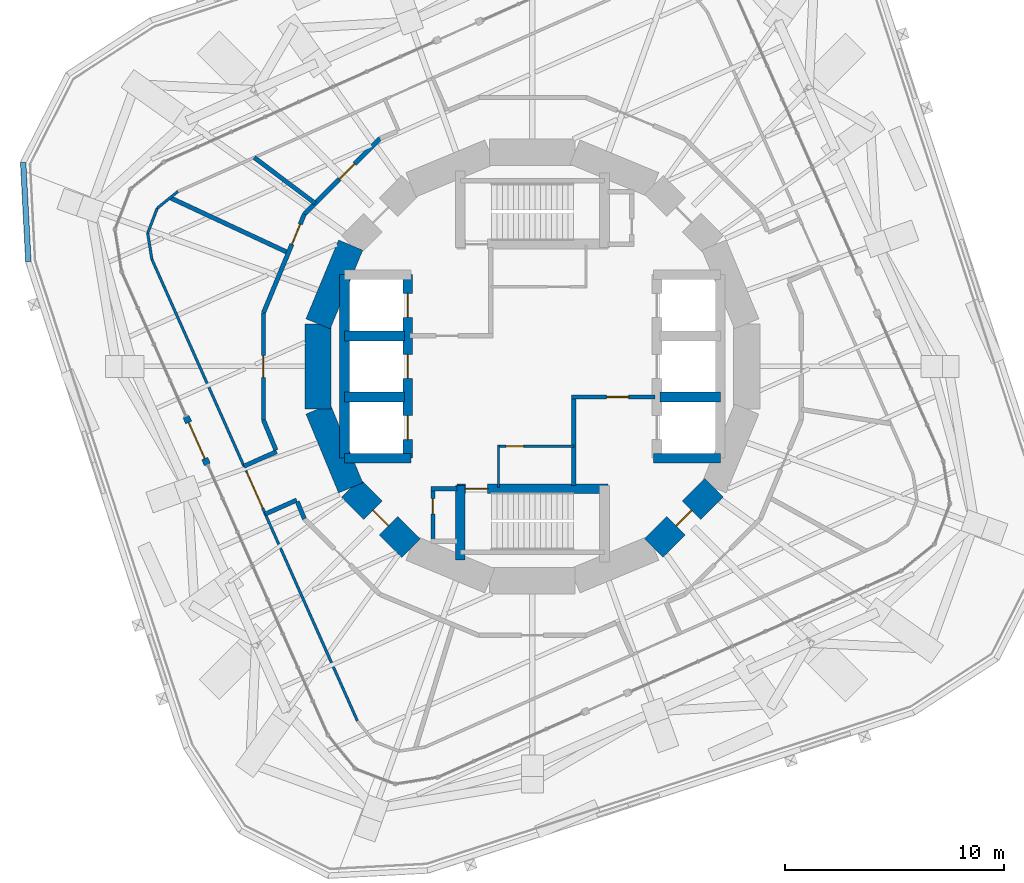
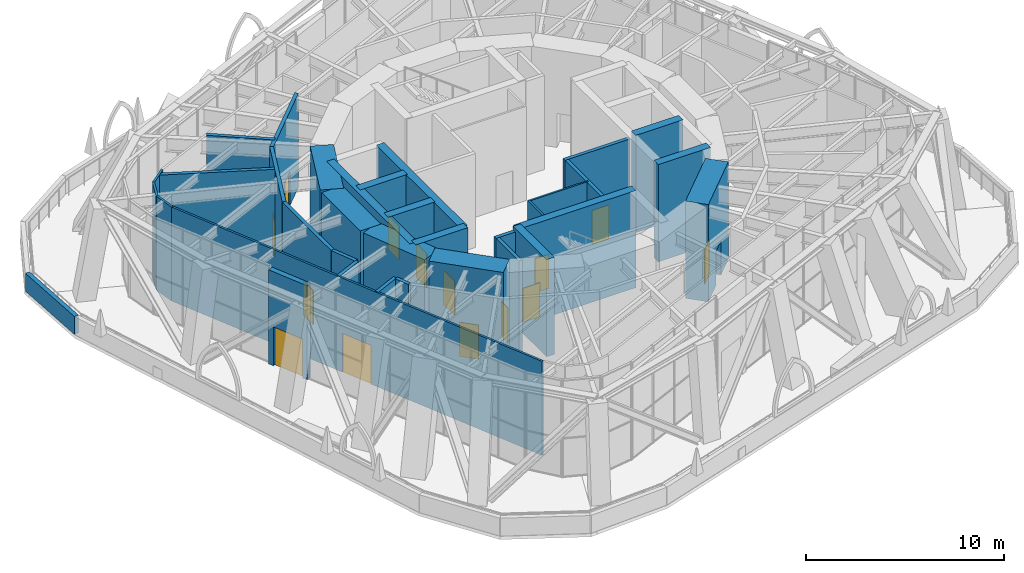
# One storey, part 13 of 18: 35 walls, 14 doors, 14 openings.
"""IFC4 building model written with IfcOpenShell, lengths in metres."""

from ifc_helpers import new_model, si_unit, direction, frame, frame_2d, origin, place, context, subcontext, project, spatial, rectangle, extrude, material, layer, layer_set, type_object, element, fill, save


model = new_model("IFC4")

# Units and contexts
model_context = context("Model", 3, precision=1e-05, world=origin(), true_north=direction((0.0, 1.0)))
body_context = subcontext(model_context, "Body", "Model", "MODEL_VIEW")
ifc_project = project(units=[si_unit("LENGTHUNIT", "METRE"), si_unit("AREAUNIT", "SQUARE_METRE"), si_unit("VOLUMEUNIT", "CUBIC_METRE"), si_unit("PLANEANGLEUNIT", "RADIAN"), si_unit("MASSUNIT", "GRAM", prefix="KILO")], contexts=[model_context])

# Site, building, storey
site_placement = place(None, origin())
site = spatial("IfcSite", under=ifc_project, at=site_placement, CompositionType="ELEMENT")
building_placement = place(site_placement, origin())
building = spatial("IfcBuilding", under=site, at=building_placement, Name="Nakasero Lantern House", CompositionType="ELEMENT")
storey_placement = place(building_placement, frame((0.0, 0.0, 176.449951171875)))
storey = spatial("IfcBuildingStorey", under=building, at=storey_placement, Name="L43", CompositionType="ELEMENT", Elevation=176.449951171875)

# Wall, openings, doors
ifc_material_1 = material(Name="Concrete C50/60", Category="concrete")
ifc_layer_1 = layer(ifc_material_1, 0.449951171875)
ifc_layer_set_1 = layer_set([ifc_layer_1], Name="Core inner wall 450")
wall_type_1 = type_object("IfcWallType", Name="Core inner wall 450", PredefinedType="SHEAR", material=ifc_layer_set_1)
wall_1_placement = place(storey_placement, frame((-5.699951171875, -4.199951171875, 0.0), z_axis=(0.0, 0.0, 1.0), x_axis=(0.0, 1.0, 0.0)))
wall_1 = element("IfcWall", 1, at=wall_1_placement, inside=storey, type_object=wall_type_1, Name="Core inner wall L43 LW", PredefinedType="SHEAR", context=body_context, shape_type="SweptSolid", body=[
    extrude(rectangle(XDim=8.39990234375, YDim=0.449951171875, at=frame_2d((4.199951171875, 0.0))), origin(), (0.0, 0.0, 1.0), 6.0),
])
opening_1_placement = place(wall_1_placement, frame((0.85009765625, 0.0, 0.0)))
opening_1 = element("IfcOpeningElement", 2, at=opening_1_placement, cuts=wall_1, Name="Opening LD", PredefinedType="OPENING", context=body_context, shape_type="SweptSolid", body=[
    extrude(rectangle(XDim=1.10009765625, YDim=2.10009765625, at=frame_2d((0.550048828125, 1.050048828125))), frame((0.0, 0.244873046875, 0.0), z_axis=(0.0, -1.0, 0.0), x_axis=(1.0, 0.0, 0.0)), (0.0, 0.0, 1.0), 0.489990234375),
])
opening_2_placement = place(wall_1_placement, frame((3.64990234375, 0.0, 0.0)))
opening_2 = element("IfcOpeningElement", 3, at=opening_2_placement, cuts=wall_1, Name="Opening LD", PredefinedType="OPENING", context=body_context, shape_type="SweptSolid", body=[
    extrude(rectangle(XDim=1.10009765625, YDim=2.10009765625, at=frame_2d((0.550048828125, 1.050048828125))), frame((0.0, 0.244873046875, 0.0), z_axis=(0.0, -1.0, 0.0), x_axis=(1.0, 0.0, 0.0)), (0.0, 0.0, 1.0), 0.489990234375),
])
opening_3_placement = place(wall_1_placement, frame((6.449951171875, 0.0, 0.0)))
opening_3 = element("IfcOpeningElement", 4, at=opening_3_placement, cuts=wall_1, Name="Opening LD", PredefinedType="OPENING", context=body_context, shape_type="SweptSolid", body=[
    extrude(rectangle(XDim=1.10009765625, YDim=2.10009765625, at=frame_2d((0.550048828125, 1.050048828125))), frame((0.0, 0.244873046875, 0.0), z_axis=(0.0, -1.0, 0.0), x_axis=(1.0, 0.0, 0.0)), (0.0, 0.0, 1.0), 0.489990234375),
])
ifc_material_2 = material(Name="Steel S355", Category="steel")
door_type_1 = type_object("IfcDoorType", Name="Lift landing door E120 1100", OperationType="SLIDING_TO_LEFT", PredefinedType="DOOR", material=ifc_material_2)
door_1_placement = place(opening_1_placement, origin())
door_1 = element("IfcDoor", 5, at=door_1_placement, inside=storey, type_object=door_type_1, Name="Lift landing door LW1", OperationType="SLIDING_TO_LEFT", OverallHeight=2.10009765625, OverallWidth=1.10009765625, PredefinedType="DOOR", context=body_context, shape_type="SweptSolid", body=[
    extrude(rectangle(XDim=1.10009765625, YDim=2.10009765625, at=frame_2d((0.550048828125, 1.050048828125))), frame((0.0, 0.02490234375, 0.0), z_axis=(0.0, -1.0, 0.0), x_axis=(1.0, 0.0, 0.0)), (0.0, 0.0, 1.0), 0.050048828125),
])
fill(opening_1, door_1)
door_2_placement = place(opening_2_placement, origin())
door_2 = element("IfcDoor", 6, at=door_2_placement, inside=storey, type_object=door_type_1, Name="Lift landing door LW2", OperationType="SLIDING_TO_LEFT", OverallHeight=2.10009765625, OverallWidth=1.10009765625, PredefinedType="DOOR", context=body_context, shape_type="SweptSolid", body=[
    extrude(rectangle(XDim=1.10009765625, YDim=2.10009765625, at=frame_2d((0.550048828125, 1.050048828125))), frame((0.0, 0.02490234375, 0.0), z_axis=(0.0, -1.0, 0.0), x_axis=(1.0, 0.0, 0.0)), (0.0, 0.0, 1.0), 0.050048828125),
])
fill(opening_2, door_2)
door_3_placement = place(opening_3_placement, origin())
door_3 = element("IfcDoor", 7, at=door_3_placement, inside=storey, type_object=door_type_1, Name="Lift landing door LW3", OperationType="SLIDING_TO_LEFT", OverallHeight=2.10009765625, OverallWidth=1.10009765625, PredefinedType="DOOR", context=body_context, shape_type="SweptSolid", body=[
    extrude(rectangle(XDim=1.10009765625, YDim=2.10009765625, at=frame_2d((0.550048828125, 1.050048828125))), frame((0.0, 0.02490234375, 0.0), z_axis=(0.0, -1.0, 0.0), x_axis=(1.0, 0.0, 0.0)), (0.0, 0.0, 1.0), 0.050048828125),
])
fill(opening_3, door_3)

# Walls
for number, where, z_axis, x_axis, name in (
    (8, (-8.60009765625, -4.199951171875, 0.0), (0.0, 0.0, 1.0), (1.0, 0.0, 0.0), "Core inner wall L43 LWS"),
    (9, (5.550048828125, -4.199951171875, 0.0), (0.0, 0.0, 1.0), (1.0, 0.0, 0.0), "Core inner wall L43 LES"),
):
    element("IfcWall", number, at=place(storey_placement, frame(where, z_axis=z_axis, x_axis=x_axis)), inside=storey, type_object=wall_type_1, Name=name, PredefinedType="SHEAR", context=body_context, shape_type="SweptSolid", body=[
        extrude(rectangle(XDim=3.050048828125, YDim=0.449951171875, at=frame_2d((1.52490234375, 0.0))), origin(), (0.0, 0.0, 1.0), 6.0),
    ])
wall_2_placement = place(storey_placement, frame((-8.60009765625, -4.199951171875, 0.0), z_axis=(0.0, 0.0, 1.0), x_axis=(0.0, 1.0, 0.0)))
element("IfcWall", 10, at=wall_2_placement, inside=storey, type_object=wall_type_1, Name="Core inner wall L43 LWB", PredefinedType="SHEAR", context=body_context, shape_type="SweptSolid", body=[
    extrude(rectangle(XDim=8.39990234375, YDim=0.449951171875, at=frame_2d((4.199951171875, 0.0))), origin(), (0.0, 0.0, 1.0), 6.0),
])
for number, where, z_axis, x_axis, name in (
    (11, (-8.60009765625, -1.39990234375, 0.0), (0.0, 0.0, 1.0), (1.0, 0.0, 0.0), "Core inner wall L43 LW1"),
    (12, (-8.60009765625, 1.39990234375, 0.0), (0.0, 0.0, 1.0), (1.0, 0.0, 0.0), "Core inner wall L43 LW2"),
    (13, (5.85009765625, -1.39990234375, 0.0), (0.0, 0.0, 1.0), (1.0, 0.0, 0.0), "Core inner wall L43 LE1"),
):
    element("IfcWall", number, at=place(storey_placement, frame(where, z_axis=z_axis, x_axis=x_axis)), inside=storey, type_object=wall_type_1, Name=name, PredefinedType="SHEAR", context=body_context, shape_type="SweptSolid", body=[
        extrude(rectangle(XDim=2.75, YDim=0.449951171875, at=frame_2d((1.375, 0.0))), origin(), (0.0, 0.0, 1.0), 6.0),
    ])

# Wall, opening, door
wall_3_placement = place(storey_placement, frame((-3.449951171875, -5.60009765625, 0.0), z_axis=(0.0, 0.0, 1.0), x_axis=(1.0, 0.0, 0.0)))
wall_3 = element("IfcWall", 14, at=wall_3_placement, inside=storey, type_object=wall_type_1, Name="Core inner wall L43 SS", PredefinedType="SHEAR", context=body_context, shape_type="SweptSolid", body=[
    extrude(rectangle(XDim=6.89990234375, YDim=0.449951171875, at=frame_2d((3.449951171875, 0.0))), origin(), (0.0, 0.0, 1.0), 6.0),
])
opening_4_placement = place(wall_3_placement, frame((0.39990234375, 0.0, 0.0)))
opening_4 = element("IfcOpeningElement", 15, at=opening_4_placement, cuts=wall_3, Name="Opening D05", PredefinedType="OPENING", context=body_context, shape_type="SweptSolid", body=[
    extrude(rectangle(XDim=1.0, YDim=2.10009765625, at=frame_2d((0.5, 1.050048828125))), frame((0.0, 0.244873046875, 0.0), z_axis=(0.0, -1.0, 0.0), x_axis=(1.0, 0.0, 0.0)), (0.0, 0.0, 1.0), 0.489990234375),
])
ifc_material_3 = material(Name="Timber C24", Category="wood")
door_type_2 = type_object("IfcDoorType", Name="Core door FD60S 1000", OperationType="SINGLE_SWING_LEFT", PredefinedType="DOOR", material=ifc_material_3)
door_4_placement = place(opening_4_placement, origin())
door_4 = element("IfcDoor", 16, at=door_4_placement, inside=storey, type_object=door_type_2, Name="Door L43 D-ST2", OperationType="SINGLE_SWING_LEFT", OverallHeight=2.10009765625, OverallWidth=1.0, PredefinedType="DOOR", context=body_context, shape_type="SweptSolid", body=[
    extrude(rectangle(XDim=1.0, YDim=2.10009765625, at=frame_2d((0.5, 1.050048828125))), frame((0.0, 0.02490234375, 0.0), z_axis=(0.0, -1.0, 0.0), x_axis=(1.0, 0.0, 0.0)), (0.0, 0.0, 1.0), 0.050048828125),
])
fill(opening_4, door_4)

# Wall
wall_4_placement = place(storey_placement, frame((-3.300048828125, -5.449951171875, 0.0), z_axis=(0.0, 0.0, 1.0), x_axis=(0.0, -1.0, 0.0)))
element("IfcWall", 17, at=wall_4_placement, inside=storey, type_object=wall_type_1, Name="Core inner wall L43 SSW", PredefinedType="SHEAR", context=body_context, shape_type="SweptSolid", body=[
    extrude(rectangle(XDim=3.400146484375, YDim=0.449951171875, at=frame_2d((1.7001953125, 0.0))), origin(), (0.0, 0.0, 1.0), 6.0),
])

# Wall, opening, door
ifc_material_4 = material(Name="Blockwork", Category="masonry")
ifc_layer_2 = layer(ifc_material_4, 0.10009765625)
ifc_layer_set_2 = layer_set([ifc_layer_2], Name="Core room wall 100")
wall_type_2 = type_object("IfcWallType", Name="Core room wall 100", PredefinedType="PARTITIONING", material=ifc_layer_set_2)
wall_5_placement = place(storey_placement, frame((-1.60009765625, -3.64990234375, 0.0), z_axis=(0.0, 0.0, 1.0), x_axis=(1.0, 0.0, 0.0)))
wall_5 = element("IfcWall", 18, at=wall_5_placement, inside=storey, type_object=wall_type_2, Name="Core room wall L43 CR-SWN", PredefinedType="PARTITIONING", context=body_context, shape_type="SweptSolid", body=[
    extrude(rectangle(XDim=3.5, YDim=0.10009765625, at=frame_2d((1.75, 0.0))), origin(), (0.0, 0.0, 1.0), 5.800048828125),
])
opening_5_placement = place(wall_5_placement, frame((0.39990234375, 0.0, 0.0)))
opening_5 = element("IfcOpeningElement", 19, at=opening_5_placement, cuts=wall_5, Name="Opening D15", PredefinedType="OPENING", context=body_context, shape_type="SweptSolid", body=[
    extrude(rectangle(XDim=0.800048828125, YDim=2.10009765625, at=frame_2d((0.39990234375, 1.050048828125))), frame((0.0, 0.070068359375, 0.0), z_axis=(0.0, -1.0, 0.0), x_axis=(1.0, 0.0, 0.0)), (0.0, 0.0, 1.0), 0.14013671875),
])
ifc_material_5 = material(Name="Timber C24", Category="wood")
door_type_3 = type_object("IfcDoorType", Name="Cleaner's store door FD30S 800", OperationType="SINGLE_SWING_LEFT", PredefinedType="DOOR", material=ifc_material_5)
door_5_placement = place(opening_5_placement, origin())
door_5 = element("IfcDoor", 20, at=door_5_placement, inside=storey, type_object=door_type_3, Name="Door L43 D-CR-SW", OperationType="SINGLE_SWING_LEFT", OverallHeight=2.10009765625, OverallWidth=0.800048828125, PredefinedType="DOOR", context=body_context, shape_type="SweptSolid", body=[
    extrude(rectangle(XDim=0.800048828125, YDim=2.10009765625, at=frame_2d((0.39990234375, 1.050048828125))), frame((0.0, 0.02490234375, 0.0), z_axis=(0.0, -1.0, 0.0), x_axis=(1.0, 0.0, 0.0)), (0.0, 0.0, 1.0), 0.050048828125),
])
fill(opening_5, door_5)

# Walls
wall_6_placement = place(storey_placement, frame((-1.550048828125, -5.550048828125, 0.0), z_axis=(0.0, 0.0, 1.0), x_axis=(0.0, 1.0, 0.0)))
element("IfcWall", 21, at=wall_6_placement, inside=storey, type_object=wall_type_2, Name="Core room wall L43 CR-SWW", PredefinedType="PARTITIONING", context=body_context, shape_type="SweptSolid", body=[
    extrude(rectangle(XDim=1.949951171875, YDim=0.10009765625, at=frame_2d((0.97509765625, 0.0))), origin(), (0.0, 0.0, 1.0), 5.800048828125),
])
ifc_material_6 = material(Name="Concrete C50/60", Category="concrete")
ifc_layer_3 = layer(ifc_material_6, 1.199951171875)
ifc_layer_set_3 = layer_set([ifc_layer_3], Name="Core wall 1200")
wall_type_3 = type_object("IfcWallType", Name="Core wall 1200", PredefinedType="SHEAR", material=ifc_layer_set_3)
for number, where, z_axis, x_axis, name in (
    (22, (-8.314697265625, 5.5556640625, 0.0), (0.0, 0.0, 1.0), (-0.382690736062, -0.923876507187, 0.0), "Core wall L43 facet 7"),
    (23, (-9.807861328125, 1.950927734375, 0.0), (0.0, 0.0, 1.0), (0.0, -1.0, 0.0), "Core wall L43 facet 8"),
    (24, (-9.807861328125, -1.950927734375, 0.0), (0.0, 0.0, 1.0), (0.382690736062, -0.923876507187, 0.0), "Core wall L43 facet 9"),
):
    element("IfcWall", number, at=place(storey_placement, frame(where, z_axis=z_axis, x_axis=x_axis)), inside=storey, type_object=wall_type_3, Name=name, PredefinedType="SHEAR", context=body_context, shape_type="SweptSolid", body=[
        extrude(rectangle(XDim=3.90185546875, YDim=1.199951171875, at=frame_2d((1.950927734375, 0.0))), origin(), (0.0, 0.0, 1.0), 6.0),
    ])

# Wall, opening, door
wall_7_placement = place(storey_placement, frame((-8.314697265625, -5.5556640625, 0.0), z_axis=(0.0, 0.0, 1.0), x_axis=(0.707106781187, -0.707106781187, 0.0)))
wall_7 = element("IfcWall", 25, at=wall_7_placement, inside=storey, type_object=wall_type_3, Name="Core wall L43 facet 10", PredefinedType="SHEAR", context=body_context, shape_type="SweptSolid", body=[
    extrude(rectangle(XDim=3.90185546875, YDim=1.199951171875, at=frame_2d((1.950927734375, 0.0))), origin(), (0.0, 0.0, 1.0), 6.0),
])
opening_6_placement = place(wall_7_placement, frame((1.450927734375, 0.0, 0.0)))
opening_6 = element("IfcOpeningElement", 26, at=opening_6_placement, cuts=wall_7, Name="Opening D05", PredefinedType="OPENING", context=body_context, shape_type="SweptSolid", body=[
    extrude(rectangle(XDim=1.0, YDim=2.10009765625, at=frame_2d((0.5, 1.050048828125))), frame((0.0, 0.619873046875, 0.0), z_axis=(0.0, -1.0, 0.0), x_axis=(1.0, 0.0, 0.0)), (0.0, 0.0, 1.0), 1.239990234375),
])
door_6_placement = place(opening_6_placement, origin())
door_6 = element("IfcDoor", 27, at=door_6_placement, inside=storey, type_object=door_type_2, Name="Door L43 D-CORE10", OperationType="SINGLE_SWING_LEFT", OverallHeight=2.10009765625, OverallWidth=1.0, PredefinedType="DOOR", context=body_context, shape_type="SweptSolid", body=[
    extrude(rectangle(XDim=1.0, YDim=2.10009765625, at=frame_2d((0.5, 1.050048828125))), frame((0.0, 0.02490234375, 0.0), z_axis=(0.0, -1.0, 0.0), x_axis=(1.0, 0.0, 0.0)), (0.0, 0.0, 1.0), 0.050048828125),
])
fill(opening_6, door_6)

wall_8_placement = place(storey_placement, frame((5.5556640625, -8.314697265625, 0.0), z_axis=(0.0, 0.0, 1.0), x_axis=(0.707106781187, 0.707106781187, 0.0)))
wall_8 = element("IfcWall", 28, at=wall_8_placement, inside=storey, type_object=wall_type_3, Name="Core wall L43 facet 14", PredefinedType="SHEAR", context=body_context, shape_type="SweptSolid", body=[
    extrude(rectangle(XDim=3.90185546875, YDim=1.199951171875, at=frame_2d((1.950927734375, 0.0))), origin(), (0.0, 0.0, 1.0), 6.0),
])
opening_7_placement = place(wall_8_placement, frame((1.450927734375, 0.0, 0.0)))
opening_7 = element("IfcOpeningElement", 29, at=opening_7_placement, cuts=wall_8, Name="Opening D05", PredefinedType="OPENING", context=body_context, shape_type="SweptSolid", body=[
    extrude(rectangle(XDim=1.0, YDim=2.10009765625, at=frame_2d((0.5, 1.050048828125))), frame((0.0, 0.619873046875, 0.0), z_axis=(0.0, -1.0, 0.0), x_axis=(1.0, 0.0, 0.0)), (0.0, 0.0, 1.0), 1.239990234375),
])
door_7_placement = place(opening_7_placement, origin())
door_7 = element("IfcDoor", 30, at=door_7_placement, inside=storey, type_object=door_type_2, Name="Door L43 D-CORE14", OperationType="SINGLE_SWING_LEFT", OverallHeight=2.10009765625, OverallWidth=1.0, PredefinedType="DOOR", context=body_context, shape_type="SweptSolid", body=[
    extrude(rectangle(XDim=1.0, YDim=2.10009765625, at=frame_2d((0.5, 1.050048828125))), frame((0.0, 0.02490234375, 0.0), z_axis=(0.0, -1.0, 0.0), x_axis=(1.0, 0.0, 0.0)), (0.0, 0.0, 1.0), 0.050048828125),
])
fill(opening_7, door_7)

# Walls
ifc_material_7 = material(Name="Blockwork", Category="masonry")
ifc_layer_4 = layer(ifc_material_7, 0.199951171875)
ifc_layer_set_4 = layer_set([ifc_layer_4], Name="Corridor wall 200")
wall_type_4 = type_object("IfcWallType", Name="Corridor wall 200", PredefinedType="PARTITIONING", material=ifc_layer_set_4)
wall_9_placement = place(storey_placement, frame((-10.43408203125, -6.971923828125, 0.0), z_axis=(0.0, 0.0, 1.0), x_axis=(-0.382596838469, 0.923915396123, 0.0)))
element("IfcWall", 31, at=wall_9_placement, inside=storey, type_object=wall_type_4, Name="Corridor wall L43 TC08", PredefinedType="PARTITIONING", context=body_context, shape_type="SweptSolid", body=[
    extrude(rectangle(XDim=0.8505859375, YDim=0.199951171875, at=frame_2d((0.42529296875, 0.0))), origin(), (0.0, 0.0, 1.0), 5.800048828125),
])
wall_10_placement = place(storey_placement, frame((-11.73583984375, -3.829345703125, 0.0), z_axis=(0.0, 0.0, 1.0), x_axis=(-0.382654698548, 0.923891433925, 0.0)))
element("IfcWall", 32, at=wall_10_placement, inside=storey, type_object=wall_type_4, Name="Corridor wall L43 TC09", PredefinedType="PARTITIONING", context=body_context, shape_type="SweptSolid", body=[
    extrude(rectangle(XDim=1.494873046875, YDim=0.199951171875, at=frame_2d((0.74755859375, 0.0))), origin(), (0.0, 0.0, 1.0), 5.800048828125),
])

# Wall, opening, door
wall_11_placement = place(storey_placement, frame((-12.307861328125, -2.4482421875, 0.0), z_axis=(0.0, 0.0, 1.0), x_axis=(0.0, 1.0, 0.0)))
wall_11 = element("IfcWall", 33, at=wall_11_placement, inside=storey, type_object=wall_type_4, Name="Corridor wall L43 TC10", PredefinedType="PARTITIONING", context=body_context, shape_type="SweptSolid", body=[
    extrude(rectangle(XDim=4.896484375, YDim=0.199951171875, at=frame_2d((2.4482421875, 0.0))), origin(), (0.0, 0.0, 1.0), 5.800048828125),
])
opening_8_placement = place(wall_11_placement, frame((1.9482421875, 0.0, 0.0)))
opening_8 = element("IfcOpeningElement", 34, at=opening_8_placement, cuts=wall_11, Name="Opening D13", PredefinedType="OPENING", context=body_context, shape_type="SweptSolid", body=[
    extrude(rectangle(XDim=1.0, YDim=2.10009765625, at=frame_2d((0.5, 1.050048828125))), frame((0.0, 0.119873046875, 0.0), z_axis=(0.0, -1.0, 0.0), x_axis=(1.0, 0.0, 0.0)), (0.0, 0.0, 1.0), 0.239990234375),
])
ifc_material_8 = material(Name="Steel S355", Category="steel")
door_type_4 = type_object("IfcDoorType", Name="Plant room door FD60 1000", OperationType="SINGLE_SWING_LEFT", PredefinedType="DOOR", material=ifc_material_8)
door_8_placement = place(opening_8_placement, origin())
door_8 = element("IfcDoor", 35, at=door_8_placement, inside=storey, type_object=door_type_4, Name="Door L43 TDR12", OperationType="SINGLE_SWING_LEFT", OverallHeight=2.10009765625, OverallWidth=1.0, PredefinedType="DOOR", context=body_context, shape_type="SweptSolid", body=[
    extrude(rectangle(XDim=1.0, YDim=2.10009765625, at=frame_2d((0.5, 1.050048828125))), frame((0.0, 0.02490234375, 0.0), z_axis=(0.0, -1.0, 0.0), x_axis=(1.0, 0.0, 0.0)), (0.0, 0.0, 1.0), 0.050048828125),
])
fill(opening_8, door_8)

wall_12_placement = place(storey_placement, frame((-12.307861328125, 2.4482421875, 0.0), z_axis=(0.0, 0.0, 1.0), x_axis=(0.382685002919, 0.923878881965, 0.0)))
wall_12 = element("IfcWall", 36, at=wall_12_placement, inside=storey, type_object=wall_type_4, Name="Corridor wall L43 TC11", PredefinedType="PARTITIONING", context=body_context, shape_type="SweptSolid", body=[
    extrude(rectangle(XDim=4.896484375, YDim=0.199951171875, at=frame_2d((2.4482421875, 0.0))), origin(), (0.0, 0.0, 1.0), 5.800048828125),
])
opening_9_placement = place(wall_12_placement, frame((3.40087890625, 0.0, 0.0)))
opening_9 = element("IfcOpeningElement", 37, at=opening_9_placement, cuts=wall_12, Name="Opening D07", PredefinedType="OPENING", context=body_context, shape_type="SweptSolid", body=[
    extrude(rectangle(XDim=1.0, YDim=2.10009765625, at=frame_2d((0.5, 1.050048828125))), frame((0.0, 0.119873046875, 0.0), z_axis=(0.0, -1.0, 0.0), x_axis=(1.0, 0.0, 0.0)), (0.0, 0.0, 1.0), 0.239990234375),
])
ifc_material_9 = material(Name="Timber C24", Category="wood")
door_type_5 = type_object("IfcDoorType", Name="Room door FD30S 1000", OperationType="SINGLE_SWING_LEFT", PredefinedType="DOOR", material=ifc_material_9)
door_9_placement = place(opening_9_placement, origin())
door_9 = element("IfcDoor", 38, at=door_9_placement, inside=storey, type_object=door_type_5, Name="Door L43 TDR11", OperationType="SINGLE_SWING_RIGHT", OverallHeight=2.10009765625, OverallWidth=1.0, PredefinedType="DOOR", context=body_context, shape_type="SweptSolid", body=[
    extrude(rectangle(XDim=1.0, YDim=2.10009765625, at=frame_2d((0.5, 1.050048828125))), frame((0.0, 0.02490234375, 0.0), z_axis=(0.0, -1.0, 0.0), x_axis=(1.0, 0.0, 0.0)), (0.0, 0.0, 1.0), 0.050048828125),
])
fill(opening_9, door_9)

wall_13_placement = place(storey_placement, frame((-10.43408203125, 6.971923828125, 0.0), z_axis=(0.0, 0.0, 1.0), x_axis=(0.707106781187, 0.707106781187, 0.0)))
wall_13 = element("IfcWall", 39, at=wall_13_placement, inside=storey, type_object=wall_type_4, Name="Corridor wall L43 TC12", PredefinedType="PARTITIONING", context=body_context, shape_type="SweptSolid", body=[
    extrude(rectangle(XDim=4.896240234375, YDim=0.199951171875, at=frame_2d((2.4482421875, 0.0))), origin(), (0.0, 0.0, 1.0), 5.800048828125),
])
opening_10_placement = place(wall_13_placement, frame((2.25927734375, 0.0, 0.0)))
opening_10 = element("IfcOpeningElement", 40, at=opening_10_placement, cuts=wall_13, Name="Opening D07", PredefinedType="OPENING", context=body_context, shape_type="SweptSolid", body=[
    extrude(rectangle(XDim=1.0, YDim=2.10009765625, at=frame_2d((0.5, 1.050048828125))), frame((0.0, 0.119873046875, 0.0), z_axis=(0.0, -1.0, 0.0), x_axis=(1.0, 0.0, 0.0)), (0.0, 0.0, 1.0), 0.239990234375),
])
door_10_placement = place(opening_10_placement, origin())
door_10 = element("IfcDoor", 41, at=door_10_placement, inside=storey, type_object=door_type_5, Name="Door L43 TDR10", OperationType="SINGLE_SWING_RIGHT", OverallHeight=2.10009765625, OverallWidth=1.0, PredefinedType="DOOR", context=body_context, shape_type="SweptSolid", body=[
    extrude(rectangle(XDim=1.0, YDim=2.10009765625, at=frame_2d((0.5, 1.050048828125))), frame((0.0, 0.02490234375, 0.0), z_axis=(0.0, -1.0, 0.0), x_axis=(1.0, 0.0, 0.0)), (0.0, 0.0, 1.0), 0.050048828125),
])
fill(opening_10, door_10)

ifc_material_10 = material(Name="Concrete C40/50", Category="concrete")
ifc_layer_5 = layer(ifc_material_10, 0.300048828125)
ifc_layer_set_5 = layer_set([ifc_layer_5], Name="Entrance portal wall 300")
wall_type_5 = type_object("IfcWallType", Name="Entrance portal wall 300", PredefinedType="SOLIDWALL", material=ifc_layer_set_5)
wall_14_placement = place(storey_placement, frame((-15.849853515625, -2.295166015625, 0.0), z_axis=(0.0, 0.0, 1.0), x_axis=(0.406808500233, -0.913513461389, 0.0)))
wall_14 = element("IfcWall", 42, at=wall_14_placement, inside=storey, type_object=wall_type_5, Name="Sky lounge door wall L43 2", PredefinedType="SOLIDWALL", context=body_context, shape_type="SweptSolid", body=[
    extrude(rectangle(XDim=2.39990234375, YDim=0.300048828125, at=frame_2d((1.199951171875, 0.0))), origin(), (0.0, 0.0, 1.0), 5.800048828125),
])
opening_11_placement = place(wall_14_placement, frame((0.300048828125, 0.0, 0.0)))
opening_11 = element("IfcOpeningElement", 43, at=opening_11_placement, cuts=wall_14, Name="Opening D10", PredefinedType="OPENING", context=body_context, shape_type="SweptSolid", body=[
    extrude(rectangle(XDim=1.800048828125, YDim=2.39990234375, at=frame_2d((0.89990234375, 1.199951171875))), frame((0.0, 0.169921875, 0.0), z_axis=(0.0, -1.0, 0.0), x_axis=(1.0, 0.0, 0.0)), (0.0, 0.0, 1.0), 0.340087890625),
])
ifc_material_11 = material(Name="Aluminium 6063-T6 and glass", Category="aluminium")
door_type_6 = type_object("IfcDoorType", Name="Sky garden doors 1800x2400", OperationType="DOUBLE_DOOR_SINGLE_SWING", PredefinedType="DOOR", material=ifc_material_11)
door_11_placement = place(opening_11_placement, origin())
door_11 = element("IfcDoor", 44, at=door_11_placement, inside=storey, type_object=door_type_6, Name="Sky garden door L43 2", OperationType="DOUBLE_DOOR_SINGLE_SWING", OverallHeight=2.39990234375, OverallWidth=1.800048828125, PredefinedType="DOOR", context=body_context, shape_type="SweptSolid", body=[
    extrude(rectangle(XDim=1.800048828125, YDim=2.39990234375, at=frame_2d((0.89990234375, 1.199951171875))), frame((0.0, 0.02490234375, 0.0), z_axis=(0.0, -1.0, 0.0), x_axis=(1.0, 0.0, 0.0)), (0.0, 0.0, 1.0), 0.050048828125),
])
fill(opening_11, door_11)

ifc_material_12 = material(Name="Blockwork", Category="masonry")
ifc_layer_6 = layer(ifc_material_12, 0.199951171875)
ifc_layer_set_6 = layer_set([ifc_layer_6], Name="Fire lobby wall 200")
wall_type_6 = type_object("IfcWallType", Name="Fire lobby wall 200", PredefinedType="PARTITIONING", material=ifc_layer_set_6)
wall_15_placement = place(storey_placement, frame((5.60009765625, -1.39990234375, 0.0), z_axis=(0.0, 0.0, 1.0), x_axis=(-1.0, 0.0, 0.0)))
wall_15 = element("IfcWall", 45, at=wall_15_placement, inside=storey, type_object=wall_type_6, Name="Fire lobby wall L43 W-FL2N", PredefinedType="PARTITIONING", context=body_context, shape_type="SweptSolid", body=[
    extrude(rectangle(XDim=3.800048828125, YDim=0.199951171875, at=frame_2d((1.89990234375, 0.0))), origin(), (0.0, 0.0, 1.0), 5.800048828125),
])
opening_12_placement = place(wall_15_placement, frame((1.199951171875, 0.0, 0.0)))
opening_12 = element("IfcOpeningElement", 46, at=opening_12_placement, cuts=wall_15, Name="Opening D05", PredefinedType="OPENING", context=body_context, shape_type="SweptSolid", body=[
    extrude(rectangle(XDim=1.0, YDim=2.10009765625, at=frame_2d((0.5, 1.050048828125))), frame((0.0, 0.119873046875, 0.0), z_axis=(0.0, -1.0, 0.0), x_axis=(1.0, 0.0, 0.0)), (0.0, 0.0, 1.0), 0.239990234375),
])
door_12_placement = place(opening_12_placement, origin())
door_12 = element("IfcDoor", 47, at=door_12_placement, inside=storey, type_object=door_type_2, Name="Door L43 D-FL2", OperationType="SINGLE_SWING_LEFT", OverallHeight=2.10009765625, OverallWidth=1.0, PredefinedType="DOOR", context=body_context, shape_type="SweptSolid", body=[
    extrude(rectangle(XDim=1.0, YDim=2.10009765625, at=frame_2d((0.5, 1.050048828125))), frame((0.0, 0.02490234375, 0.0), z_axis=(0.0, -1.0, 0.0), x_axis=(1.0, 0.0, 0.0)), (0.0, 0.0, 1.0), 0.050048828125),
])
fill(opening_12, door_12)

# Wall
wall_16_placement = place(storey_placement, frame((1.89990234375, -1.5, 0.0), z_axis=(0.0, 0.0, 1.0), x_axis=(0.0, -1.0, 0.0)))
element("IfcWall", 48, at=wall_16_placement, inside=storey, type_object=wall_type_6, Name="Fire lobby wall L43 W-FL2W", PredefinedType="PARTITIONING", context=body_context, shape_type="SweptSolid", body=[
    extrude(rectangle(XDim=3.949951171875, YDim=0.199951171875, at=frame_2d((1.97509765625, 0.0))), origin(), (0.0, 0.0, 1.0), 5.800048828125),
])

# Wall, opening, door
wall_17_placement = place(storey_placement, frame((-4.550048828125, -5.60009765625, 0.0), z_axis=(0.0, 0.0, 1.0), x_axis=(0.0, -1.0, 0.0)))
wall_17 = element("IfcWall", 49, at=wall_17_placement, inside=storey, type_object=wall_type_6, Name="Fire lobby wall L43 W-RS2W", PredefinedType="PARTITIONING", context=body_context, shape_type="SweptSolid", body=[
    extrude(rectangle(XDim=2.39990234375, YDim=0.199951171875, at=frame_2d((1.199951171875, 0.0))), origin(), (0.0, 0.0, 1.0), 5.800048828125),
])
opening_13_placement = place(wall_17_placement, frame((0.449951171875, 0.0, 0.0)))
opening_13 = element("IfcOpeningElement", 50, at=opening_13_placement, cuts=wall_17, Name="Opening D06", PredefinedType="OPENING", context=body_context, shape_type="SweptSolid", body=[
    extrude(rectangle(XDim=0.699951171875, YDim=2.10009765625, at=frame_2d((0.35009765625, 1.050048828125))), frame((0.0, 0.119873046875, 0.0), z_axis=(0.0, -1.0, 0.0), x_axis=(1.0, 0.0, 0.0)), (0.0, 0.0, 1.0), 0.239990234375),
])
ifc_material_13 = material(Name="Steel S355", Category="steel")
door_type_7 = type_object("IfcDoorType", Name="Riser door FD60 700", OperationType="SINGLE_SWING_LEFT", PredefinedType="DOOR", material=ifc_material_13)
door_13_placement = place(opening_13_placement, origin())
door_13 = element("IfcDoor", 51, at=door_13_placement, inside=storey, type_object=door_type_7, Name="Door L43 D-RS2", OperationType="SINGLE_SWING_LEFT", OverallHeight=2.10009765625, OverallWidth=0.699951171875, PredefinedType="DOOR", context=body_context, shape_type="SweptSolid", body=[
    extrude(rectangle(XDim=0.699951171875, YDim=2.10009765625, at=frame_2d((0.35009765625, 1.050048828125))), frame((0.0, 0.02490234375, 0.0), z_axis=(0.0, -1.0, 0.0), x_axis=(1.0, 0.0, 0.0)), (0.0, 0.0, 1.0), 0.050048828125),
])
fill(opening_13, door_13)

# Walls
wall_18_placement = place(storey_placement, frame((-3.449951171875, -5.60009765625, 0.0), z_axis=(0.0, 0.0, 1.0), x_axis=(-1.0, 0.0, 0.0)))
element("IfcWall", 52, at=wall_18_placement, inside=storey, type_object=wall_type_6, Name="Fire lobby wall L43 W-RS2N", PredefinedType="PARTITIONING", context=body_context, shape_type="SweptSolid", body=[
    extrude(rectangle(XDim=1.199951171875, YDim=0.199951171875, at=frame_2d((0.60009765625, 0.0))), origin(), (0.0, 0.0, 1.0), 5.800048828125),
])
wall_19_placement = place(storey_placement, frame((-9.940673828125, 7.46533203125, 0.0), z_axis=(0.0, 0.0, 1.0), x_axis=(-0.799630529939, 0.600492311016, 0.0)))
element("IfcWall", 53, at=wall_19_placement, inside=storey, type_object=wall_type_6, Name="Fire lobby wall L43 TD10", PredefinedType="PARTITIONING", context=body_context, shape_type="SweptSolid", body=[
    extrude(rectangle(XDim=3.490478515625, YDim=0.199951171875, at=frame_2d((1.7451171875, 0.0))), origin(), (0.0, 0.0, 1.0), 5.800048828125),
])
wall_20_placement = place(storey_placement, frame((-11.167236328125, 5.201904296875, 0.0), z_axis=(0.0, 0.0, 1.0), x_axis=(-0.90649025899, 0.422226728614, 0.0)))
element("IfcWall", 54, at=wall_20_placement, inside=storey, type_object=wall_type_6, Name="Fire lobby wall L43 TD11", PredefinedType="PARTITIONING", context=body_context, shape_type="SweptSolid", body=[
    extrude(rectangle(XDim=5.966064453125, YDim=0.199951171875, at=frame_2d((2.98291015625, 0.0))), origin(), (0.0, 0.0, 1.0), 5.800048828125),
])
wall_21_placement = place(storey_placement, frame((-10.788330078125, -6.11669921875, 0.0), z_axis=(0.0, 0.0, 1.0), x_axis=(-0.913535520181, -0.406758962246, 0.0)))
element("IfcWall", 55, at=wall_21_placement, inside=storey, type_object=wall_type_6, Name="Fire lobby wall L43 TP2L", PredefinedType="PARTITIONING", context=body_context, shape_type="SweptSolid", body=[
    extrude(rectangle(XDim=1.569580078125, YDim=0.199951171875, at=frame_2d((0.78466796875, 0.0))), origin(), (0.0, 0.0, 1.0), 5.800048828125),
])
wall_22_placement = place(storey_placement, frame((-11.70703125, -3.898681640625, 0.0), z_axis=(0.0, 0.0, 1.0), x_axis=(-0.913515268671, -0.406804441844, 0.0)))
element("IfcWall", 56, at=wall_22_placement, inside=storey, type_object=wall_type_6, Name="Fire lobby wall L43 TP2R", PredefinedType="PARTITIONING", context=body_context, shape_type="SweptSolid", body=[
    extrude(rectangle(XDim=1.63232421875, YDim=0.199951171875, at=frame_2d((0.816162109375, 0.0))), origin(), (0.0, 0.0, 1.0), 5.800048828125),
])
ifc_material_14 = material(Name="Aluminium 6063-T6 and glass", Category="aluminium")
ifc_layer_7 = layer(ifc_material_14, 0.1201171875)
ifc_layer_set_7 = layer_set([ifc_layer_7], Name="Glazed screen 120")
wall_type_7 = type_object("IfcWallType", Name="Glazed screen 120", PredefinedType="PARTITIONING", material=ifc_layer_set_7)
wall_23_placement = place(storey_placement, frame((-16.22216796875, 8.007080078125, 0.0), z_axis=(0.0, 0.0, 1.0), x_axis=(-0.777174770646, -0.629284812999, 0.0)))
element("IfcWall", 57, at=wall_23_placement, inside=storey, type_object=wall_type_7, Name="Glazed screen L43 WG1C1", PredefinedType="PARTITIONING", context=body_context, shape_type="SweptSolid", body=[
    extrude(rectangle(XDim=1.216552734375, YDim=0.1201171875, at=frame_2d((0.6083984375, 0.0))), origin(), (0.0, 0.0, 1.0), 5.800048828125),
])
wall_24_placement = place(storey_placement, frame((-17.167724609375, 7.241455078125, 0.0), z_axis=(0.0, 0.0, 1.0), x_axis=(-0.358306430795, -0.933604039007, 0.0)))
element("IfcWall", 58, at=wall_24_placement, inside=storey, type_object=wall_type_7, Name="Glazed screen L43 WG1C2", PredefinedType="PARTITIONING", context=body_context, shape_type="SweptSolid", body=[
    extrude(rectangle(XDim=1.21630859375, YDim=0.1201171875, at=frame_2d((0.608154296875, 0.0))), origin(), (0.0, 0.0, 1.0), 5.800048828125),
])
wall_25_placement = place(storey_placement, frame((-17.603515625, 6.10595703125, 0.0), z_axis=(0.0, 0.0, 1.0), x_axis=(0.156323229724, -0.987705952118, 0.0)))
element("IfcWall", 59, at=wall_25_placement, inside=storey, type_object=wall_type_7, Name="Glazed screen L43 WG1C3", PredefinedType="PARTITIONING", context=body_context, shape_type="SweptSolid", body=[
    extrude(rectangle(XDim=1.216552734375, YDim=0.1201171875, at=frame_2d((0.6083984375, 0.0))), origin(), (0.0, 0.0, 1.0), 5.800048828125),
])

# Wall, opening, door
wall_26_placement = place(storey_placement, frame((-17.413330078125, 4.904296875, 0.0), z_axis=(0.0, 0.0, 1.0), x_axis=(0.406741761514, -0.91354317875, 0.0)))
wall_26 = element("IfcWall", 60, at=wall_26_placement, inside=storey, type_object=wall_type_7, Name="Glazed screen L43 WG2S", PredefinedType="PARTITIONING", context=body_context, shape_type="SweptSolid", body=[
    extrude(rectangle(XDim=23.125732421875, YDim=0.1201171875, at=frame_2d((11.56298828125, 0.0))), origin(), (0.0, 0.0, 1.0), 5.800048828125),
])
opening_14_placement = place(wall_26_placement, frame((10.6630859375, 0.0, 0.0)))
opening_14 = element("IfcOpeningElement", 61, at=opening_14_placement, cuts=wall_26, Name="Opening D18", PredefinedType="OPENING", context=body_context, shape_type="SweptSolid", body=[
    extrude(rectangle(XDim=1.800048828125, YDim=2.39990234375, at=frame_2d((0.89990234375, 1.199951171875))), frame((0.0, 0.080078125, 0.0), z_axis=(0.0, -1.0, 0.0), x_axis=(1.0, 0.0, 0.0)), (0.0, 0.0, 1.0), 0.16015625),
])
ifc_material_15 = material(Name="Aluminium 6063-T6 and glass", Category="aluminium")
door_type_8 = type_object("IfcDoorType", Name="Glazed screen door 1800", OperationType="DOUBLE_DOOR_SINGLE_SWING", PredefinedType="DOOR", material=ifc_material_15)
door_14_placement = place(opening_14_placement, origin())
door_14 = element("IfcDoor", 62, at=door_14_placement, inside=storey, type_object=door_type_8, Name="Door L43 DW2", OperationType="DOUBLE_DOOR_SINGLE_SWING", OverallHeight=2.39990234375, OverallWidth=1.800048828125, PredefinedType="DOOR", context=body_context, shape_type="SweptSolid", body=[
    extrude(rectangle(XDim=1.800048828125, YDim=2.39990234375, at=frame_2d((0.89990234375, 1.199951171875))), frame((0.0, 0.02490234375, 0.0), z_axis=(0.0, -1.0, 0.0), x_axis=(1.0, 0.0, 0.0)), (0.0, 0.0, 1.0), 0.050048828125),
])
fill(opening_14, door_14)

# Wall
ifc_material_16 = material(Name="Concrete C35/45", Category="concrete")
ifc_layer_8 = layer(ifc_material_16, 0.25)
ifc_layer_set_8 = layer_set([ifc_layer_8], Name="Parapet 250")
wall_type_8 = type_object("IfcWallType", Name="Parapet 250", PredefinedType="SOLIDWALL", material=ifc_layer_set_8)
wall_27_placement = place(storey_placement, frame((-23.3017578125, 9.3310546875, 0.0), z_axis=(0.0, 0.0, 1.0), x_axis=(0.052338164079, -0.998629419044, 0.0)))
element("IfcWall", 63, at=wall_27_placement, inside=storey, type_object=wall_type_8, Name="Parapet L43 PP1C3", PredefinedType="SOLIDWALL", context=body_context, shape_type="SweptSolid", body=[
    extrude(rectangle(XDim=4.529296875, YDim=0.25, at=frame_2d((2.2646484375, 0.0))), origin(), (0.0, 0.0, 1.0), 1.10009765625),
])

save(model, "model.ifc")
